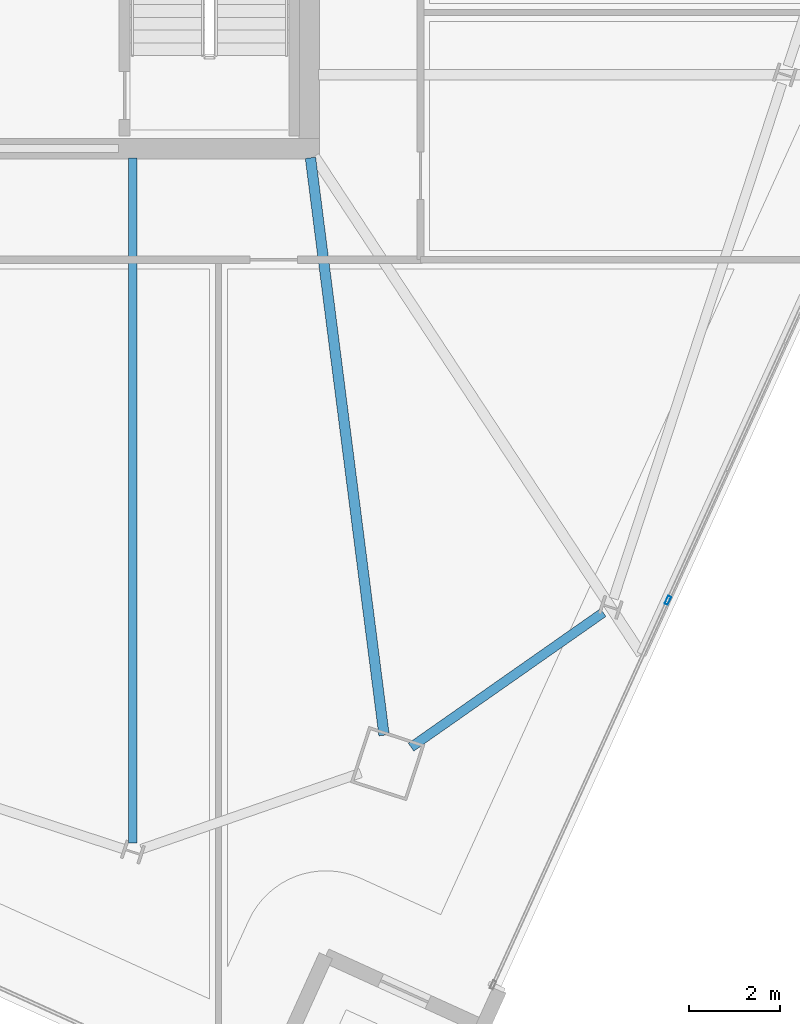
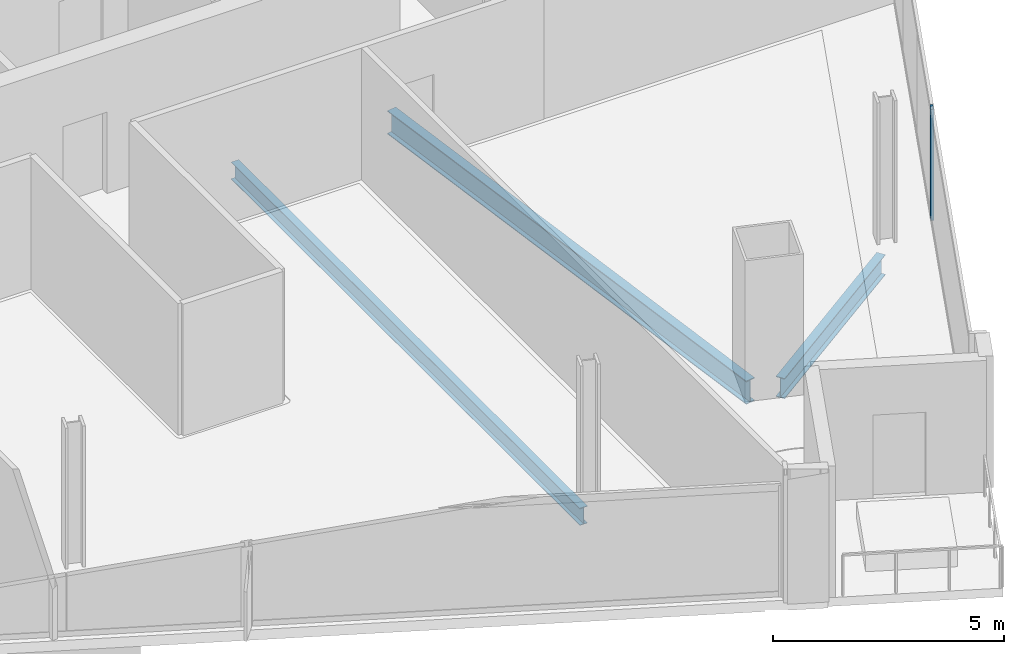
# One storey, part 9 of 26: 3 beams, 1 member, 1 element without a shape of its own.
"""IFC4 building model written with IfcOpenShell, lengths in metres."""

from ifc_helpers import new_model, si_unit, direction, frame, origin, origin_2d, place, context, subcontext, project, spatial, hollow_rectangle, i_section, extrude, material, material_profile, profile_set, type_object, element, aggregate, save


model = new_model("IFC4")

# Units and contexts
model_context = context("Model", 3, precision=1e-05, world=origin(), true_north=direction((0.0, 1.0)))
body_context = subcontext(model_context, "Body", "Model", "MODEL_VIEW")
ifc_project = project(units=[si_unit("LENGTHUNIT", "METRE"), si_unit("AREAUNIT", "SQUARE_METRE"), si_unit("VOLUMEUNIT", "CUBIC_METRE"), si_unit("PLANEANGLEUNIT", "RADIAN"), si_unit("MASSUNIT", "GRAM", prefix="KILO")], contexts=[model_context])

# Site, building, storey
site_placement = place(None, origin())
site = spatial("IfcSite", under=ifc_project, at=site_placement, CompositionType="ELEMENT")
building_placement = place(site_placement, origin())
building = spatial("IfcBuilding", under=site, at=building_placement, Name="Haldenkirk Collegiate Tower", CompositionType="ELEMENT")
storey_placement = place(building_placement, frame((0.0, 0.0, 248.699951171875)))
storey = spatial("IfcBuildingStorey", under=building, at=storey_placement, Name="L62", CompositionType="ELEMENT", Elevation=248.699951171875)

# Beams
ifc_material_1 = material(Name="Steel ASTM A992 Grade 50", Category="steel")
ifc_material_profile_1 = material_profile(ifc_material_1, i_section(OverallWidth=0.22998046875, OverallDepth=0.616943359375, WebThickness=0.01318359375, FlangeThickness=0.022216796875, at=origin_2d()), Name="W24X94")
ifc_profile_set_1 = profile_set([ifc_material_profile_1], Name="Steel ASTM A992 Grade 50")
beam_type_1 = type_object("IfcBeamType", Name="BM-GIRDER-W24X94", PredefinedType="BEAM", material=ifc_profile_set_1)
beam_1_placement = place(storey_placement, frame((46.6484375, 5.0693359375, -0.578369140625), z_axis=(-0.126462976839, 0.991971327957, 0.0), x_axis=(-0.991971327957, -0.126462976839, 0.0)))
element("IfcBeam", 1, at=beam_1_placement, inside=storey, type_object=beam_type_1, Name="L62 primary floor girder 01", PredefinedType="BEAM", context=body_context, shape_type="SweptSolid", body=[
    extrude(i_section(OverallWidth=0.22998046875, OverallDepth=0.616943359375, WebThickness=0.01318359375, FlangeThickness=0.022216796875, at=origin_2d()), origin(), (0.0, 0.0, 1.0), 12.830322265625),
])
ifc_material_profile_2 = material_profile(ifc_material_1, i_section(OverallWidth=0.18994140625, OverallDepth=0.45703125, WebThickness=0.009033203125, FlangeThickness=0.014404296875, at=origin_2d()), Name="W18X50")
ifc_profile_set_2 = profile_set([ifc_material_profile_2], Name="Steel ASTM A992 Grade 50")
beam_type_2 = type_object("IfcBeamType", Name="BM-JOIST-W18X50", PredefinedType="JOIST", material=ifc_profile_set_2)
beam_2_placement = place(storey_placement, frame((41.111083984375, 2.697265625, -0.49853515625), z_axis=(0.0, 1.0, 0.0), x_axis=(-1.0, 0.0, 0.0)))
element("IfcBeam", 2, at=beam_2_placement, inside=storey, type_object=beam_type_2, Name="L62 composite floor joist 16", PredefinedType="JOIST", context=body_context, shape_type="SweptSolid", body=[
    extrude(i_section(OverallWidth=0.18994140625, OverallDepth=0.45703125, WebThickness=0.009033203125, FlangeThickness=0.014404296875, at=origin_2d()), origin(), (0.0, 0.0, 1.0), 15.09765625),
])
ifc_material_profile_3 = material_profile(ifc_material_1, i_section(OverallWidth=0.2099609375, OverallDepth=0.537109375, WebThickness=0.010986328125, FlangeThickness=0.017333984375, at=origin_2d()), Name="W21X68")
ifc_profile_set_3 = profile_set([ifc_material_profile_3], Name="Steel ASTM A992 Grade 50")
beam_type_3 = type_object("IfcBeamType", Name="BM-SPANDREL-W21X68", PredefinedType="SPANDREL", material=ifc_profile_set_3)
beam_3_placement = place(storey_placement, frame((47.243896484375, 4.805908203125, -0.538330078125), z_axis=(0.818943373955, 0.573874333156, 0.0), x_axis=(-0.573874333156, 0.818943373955, 0.0)))
element("IfcBeam", 3, at=beam_3_placement, inside=storey, type_object=beam_type_3, Name="L62 perimeter spandrel beam 01", PredefinedType="SPANDREL", context=body_context, shape_type="SweptSolid", body=[
    extrude(i_section(OverallWidth=0.2099609375, OverallDepth=0.537109375, WebThickness=0.010986328125, FlangeThickness=0.017333984375, at=origin_2d()), origin(), (0.0, 0.0, 1.0), 5.16943359375),
])

# Curtain wall, member
ifc_material_2 = material(Name="Anodised architectural bronze aluminium", Category="aluminium")
curtain_wall_type = type_object("IfcCurtainWallType", Name="CW-SYS2-CONCAVE", PredefinedType="USERDEFINED", material=ifc_material_2)
curtain_wall_placement = place(storey_placement, origin())
curtain_wall = element("IfcCurtainWall", 4, at=curtain_wall_placement, inside=storey, type_object=curtain_wall_type, Name="L62 South concave recessed bronze-anodised curtain wall", ObjectType="UNITISED CURTAIN WALL", PredefinedType="USERDEFINED")
ifc_material_profile_4 = material_profile(ifc_material_2, hollow_rectangle(XDim=0.074951171875, YDim=0.18994140625, WallThickness=0.0048828125, at=origin_2d()), Name="CW-MUL-02")
ifc_profile_set_4 = profile_set([ifc_material_profile_4], Name="Anodised architectural bronze aluminium")
member_type = type_object("IfcMemberType", Name="CW-MUL-02", PredefinedType="MULLION", material=ifc_profile_set_4)
member_placement = place(storey_placement, frame((52.903564453125, 8.043212890625, 0.0), z_axis=(0.0, 0.0, 1.0), x_axis=(0.910323160651, -0.413898228049, 0.0)))
member = element("IfcMember", 5, at=member_placement, type_object=member_type, Name="CW-02 mullion 4", PredefinedType="MULLION", context=body_context, shape_type="SweptSolid", body=[
    extrude(hollow_rectangle(XDim=0.074951171875, YDim=0.18994140625, WallThickness=0.0048828125, at=origin_2d()), origin(), (0.0, 0.0, 1.0), 2.93798828125),
])
aggregate(curtain_wall, [member])

save(model, "model.ifc")
